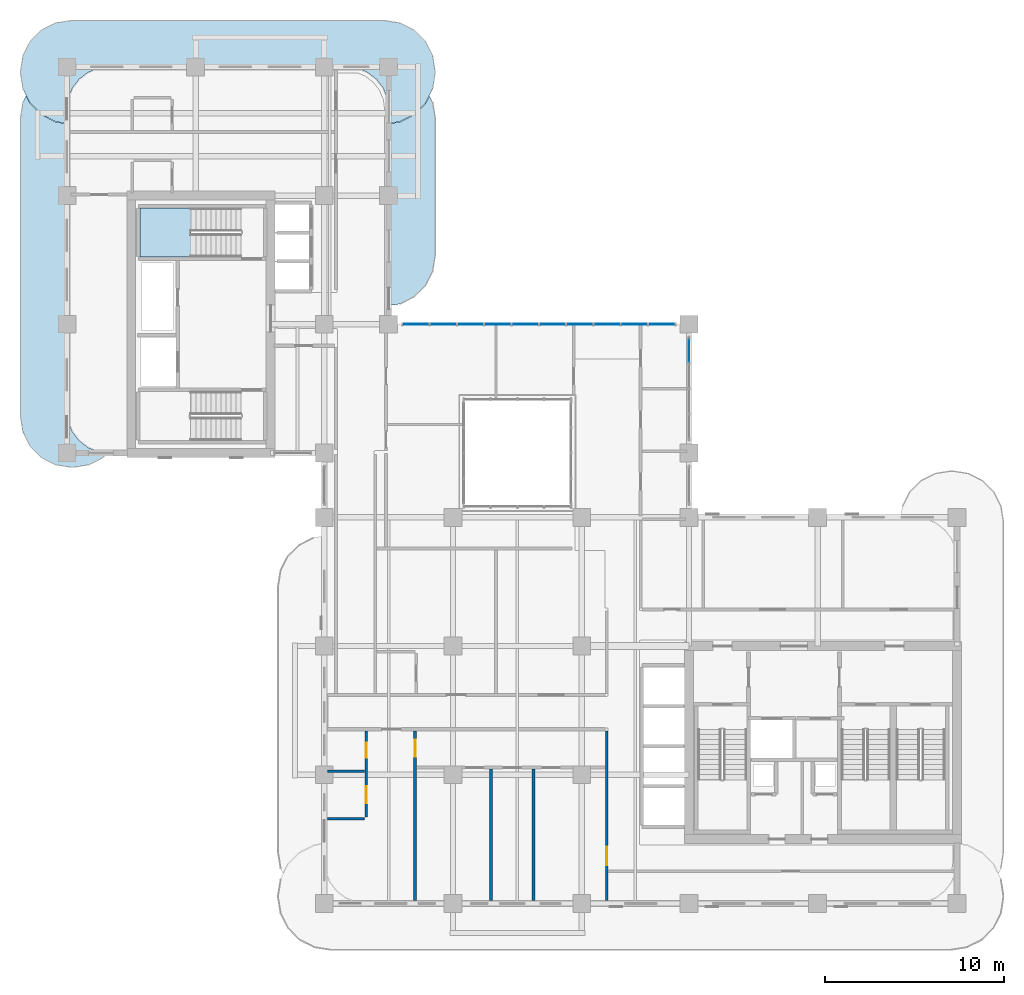
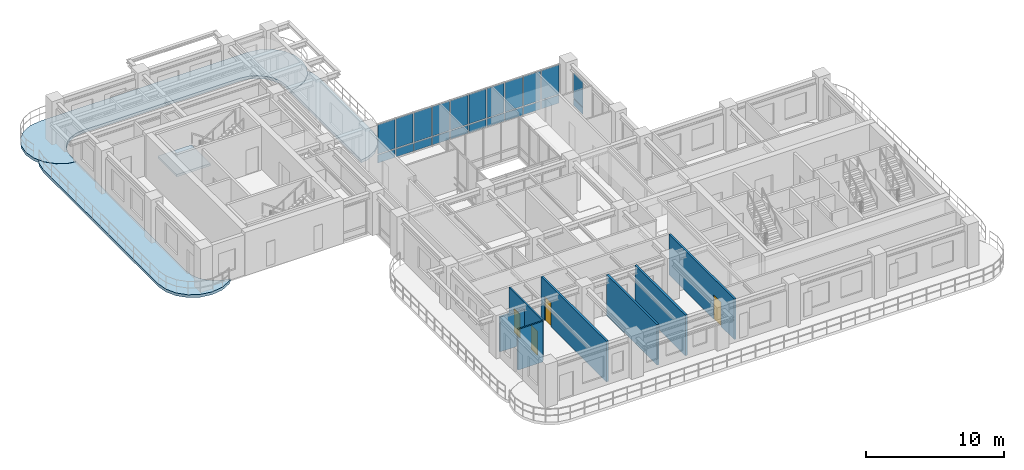
# One storey, part 10 of 20: 22 plates, 7 walls, 4 doors, 4 slabs, 4 openings, 3 elements without a shape of their own.
"""IFC4 building model written with IfcOpenShell, lengths in metres."""

from ifc_helpers import new_model, si_unit, derived_unit, direction, frame, frame_2d, origin, origin_2d, place, context, subcontext, project, spatial, polyline, rectangle, outline, extrude, source, transform, mapped, material, layer, layer_set, type_object, type_shapes, element, fill, aggregate, save


model = new_model("IFC4")

# Units and contexts
model_context = context("Model", 3, precision=1e-05, world=origin(), true_north=direction((0.0, 1.0)))
body_context = subcontext(model_context, "Body", "Model", "MODEL_VIEW")
ifc_project = project(units=[si_unit("LENGTHUNIT", "METRE"), si_unit("AREAUNIT", "SQUARE_METRE"), si_unit("VOLUMEUNIT", "CUBIC_METRE"), si_unit("PLANEANGLEUNIT", "RADIAN"), si_unit("MASSUNIT", "GRAM", prefix="KILO"), si_unit("THERMODYNAMICTEMPERATUREUNIT", "KELVIN"), si_unit("POWERUNIT", "WATT"), derived_unit("THERMALTRANSMITTANCEUNIT", [(si_unit("POWERUNIT", "WATT"), 1), (si_unit("AREAUNIT", "SQUARE_METRE"), -1), (si_unit("THERMODYNAMICTEMPERATUREUNIT", "KELVIN"), -1)])], contexts=[model_context])

# Site, building, storey
site_placement = place(None, origin())
site = spatial("IfcSite", under=ifc_project, at=site_placement, CompositionType="ELEMENT")
building_placement = place(site_placement, origin())
building = spatial("IfcBuilding", under=site, at=building_placement, Name="Zahravan Archway Hotel and Residences", CompositionType="ELEMENT")
storey_placement = place(building_placement, frame((0.0, 0.0, 177.25)))
storey = spatial("IfcBuildingStorey", under=building, at=storey_placement, Name="L44", CompositionType="ELEMENT", Elevation=177.25)

# Slabs
ifc_material_1 = material(Name="Concrete C45/55", Category="concrete")
ifc_layer_1 = layer(ifc_material_1, 0.25, Name="Concrete C45/55", Category="concrete")
ifc_layer_set_1 = layer_set([ifc_layer_1], Name="Concrete C45/55")
slab_type_1 = type_object("IfcSlabType", Name="SLB-BALC-250", PredefinedType="FLOOR", material=ifc_layer_set_1)
slab_1_placement = place(storey_placement, frame((0.0, 0.0, -0.25)))
element("IfcSlab", 1, at=slab_1_placement, inside=storey, type_object=slab_type_1, Name="L44 Wing B North Rounded Balcony Band", PredefinedType="FLOOR", context=body_context, shape_type="SweptSolid", body=[
    extrude(outline(polyline([(-0.630615234375, 43.739501953125), (-1.42529296875, 44.144287109375), (-2.0556640625, 44.77490234375), (-2.46044921875, 45.5693359375), (-2.60009765625, 46.449951171875), (-2.60009765625, 46.550048828125), (-2.46044921875, 47.4306640625), (-2.0556640625, 48.22509765625), (-1.42529296875, 48.855712890625), (-0.630615234375, 49.260498046875), (0.25, 49.39990234375), (17.75, 49.39990234375), (18.630615234375, 49.260498046875), (19.42529296875, 48.855712890625), (20.0556640625, 48.22509765625), (20.46044921875, 47.4306640625), (20.60009765625, 46.550048828125), (20.60009765625, 46.449951171875), (20.46044921875, 45.5693359375), (20.0556640625, 44.77490234375), (19.42529296875, 44.144287109375), (18.630615234375, 43.739501953125), (18.02001953125, 43.642822265625), (18.02001953125, 44.39990234375), (18.019775390625, 44.402587890625), (17.93798828125, 45.023681640625), (17.937744140625, 45.025390625), (17.937255859375, 45.027099609375), (17.936767578125, 45.02880859375), (17.697021484375, 45.607666015625), (17.6962890625, 45.609130859375), (17.6953125, 45.610595703125), (17.6943359375, 45.6123046875), (17.31298828125, 46.109375), (17.311767578125, 46.110595703125), (17.310546875, 46.11181640625), (17.309326171875, 46.113037109375), (16.812255859375, 46.494384765625), (16.810791015625, 46.495361328125), (16.80908203125, 46.49609375), (16.8076171875, 46.4970703125), (16.22900390625, 46.73681640625), (16.227294921875, 46.7373046875), (16.2255859375, 46.73779296875), (16.223876953125, 46.738037109375), (15.6025390625, 46.81982421875), (15.60009765625, 46.820068359375), (2.39990234375, 46.820068359375), (2.3974609375, 46.81982421875), (1.776123046875, 46.738037109375), (1.7744140625, 46.73779296875), (1.772705078125, 46.7373046875), (1.77099609375, 46.73681640625), (1.1923828125, 46.4970703125), (1.19091796875, 46.49609375), (1.189208984375, 46.495361328125), (1.187744140625, 46.494384765625), (0.690673828125, 46.113037109375), (0.689453125, 46.11181640625), (0.688232421875, 46.110595703125), (0.68701171875, 46.109375), (0.3056640625, 45.6123046875), (0.3046875, 45.610595703125), (0.3037109375, 45.609130859375), (0.302978515625, 45.607666015625), (0.063232421875, 45.02880859375), (0.062744140625, 45.027099609375), (0.062255859375, 45.025390625), (0.06201171875, 45.023681640625), (-0.019775390625, 44.402587890625), (-0.02001953125, 44.39990234375), (-0.02001953125, 43.642822265625), (-0.630615234375, 43.739501953125)])), origin(), (0.0, 0.0, 1.0), 0.25),
])
slab_2_placement = place(storey_placement, frame((0.0, 0.0, -0.25)))
element("IfcSlab", 2, at=slab_2_placement, inside=storey, type_object=slab_type_1, Name="L44 Wing B West Rounded Balcony Band", PredefinedType="FLOOR", context=body_context, shape_type="SweptSolid", body=[
    extrude(outline(polyline([(2.025146484375, 24.9443359375), (1.230712890625, 24.53955078125), (0.35009765625, 24.39990234375), (0.25, 24.39990234375), (-0.630615234375, 24.53955078125), (-1.42529296875, 24.9443359375), (-2.0556640625, 25.57470703125), (-2.46044921875, 26.369384765625), (-2.60009765625, 27.25), (-2.60009765625, 43.949951171875), (-2.46044921875, 44.830810546875), (-2.28369140625, 45.177978515625), (-2.073486328125, 44.765625), (-2.072509765625, 44.763916015625), (-2.0712890625, 44.76220703125), (-2.06982421875, 44.7607421875), (-1.439208984375, 44.130126953125), (-1.437744140625, 44.12890625), (-1.43603515625, 44.12744140625), (-1.434326171875, 44.12646484375), (-0.639892578125, 43.7216796875), (-0.637939453125, 43.720703125), (-0.635986328125, 43.72021484375), (-0.6337890625, 43.7197265625), (-0.023193359375, 43.623046875), (-0.021240234375, 43.622802734375), (-0.02001953125, 43.622802734375), (-0.02001953125, 27.60009765625), (-0.019775390625, 27.597412109375), (0.06201171875, 26.976318359375), (0.062255859375, 26.974609375), (0.062744140625, 26.972900390625), (0.063232421875, 26.97119140625), (0.302978515625, 26.392333984375), (0.3037109375, 26.390869140625), (0.3046875, 26.389404296875), (0.3056640625, 26.3876953125), (0.68701171875, 25.890625), (0.688232421875, 25.889404296875), (0.689453125, 25.88818359375), (0.690673828125, 25.886962890625), (1.187744140625, 25.505615234375), (1.189208984375, 25.504638671875), (1.19091796875, 25.50390625), (1.1923828125, 25.5029296875), (1.77099609375, 25.26318359375), (1.772705078125, 25.2626953125), (1.7744140625, 25.26220703125), (1.776123046875, 25.261962890625), (2.27685546875, 25.196044921875), (2.025146484375, 24.9443359375)])), origin(), (0.0, 0.0, 1.0), 0.25),
])
slab_3_placement = place(storey_placement, frame((0.0, 0.0, -0.25)))
element("IfcSlab", 3, at=slab_3_placement, inside=storey, type_object=slab_type_1, Name="L44 Wing B East Rounded Balcony Band", PredefinedType="FLOOR", context=body_context, shape_type="SweptSolid", body=[
    extrude(outline(polyline([(20.46044921875, 44.830810546875), (20.60009765625, 43.949951171875), (20.60009765625, 36.25), (20.46044921875, 35.369384765625), (20.0556640625, 34.57470703125), (19.42529296875, 33.9443359375), (18.630615234375, 33.53955078125), (18.02001953125, 33.44287109375), (18.02001953125, 43.622802734375), (18.021240234375, 43.622802734375), (18.023193359375, 43.623046875), (18.6337890625, 43.7197265625), (18.635986328125, 43.72021484375), (18.637939453125, 43.720703125), (18.639892578125, 43.7216796875), (19.434326171875, 44.12646484375), (19.43603515625, 44.12744140625), (19.437744140625, 44.12890625), (19.439208984375, 44.130126953125), (20.06982421875, 44.7607421875), (20.0712890625, 44.76220703125), (20.072509765625, 44.763916015625), (20.073486328125, 44.765625), (20.28369140625, 45.177978515625), (20.46044921875, 44.830810546875)])), origin(), (0.0, 0.0, 1.0), 0.25),
])

# Stair, slab
ifc_material_2 = material(Name="Concrete C50/60", Category="concrete")
stair_type = type_object("IfcStairType", Name="STR-CORE-1300", PredefinedType="HALF_TURN_STAIR", material=ifc_material_2)
stair_placement = place(storey_placement, origin())
stair = element("IfcStair", 4, at=stair_placement, inside=storey, type_object=stair_type, Name="L44 Core B Exit Stair 2", PredefinedType="HALF_TURN_STAIR")
ifc_layer_2 = layer(ifc_material_2, 0.199951171875, Name="Concrete C50/60", Category="concrete")
ifc_layer_set_2 = layer_set([ifc_layer_2], Name="Concrete C50/60")
slab_type_2 = type_object("IfcSlabType", Name="SLB-LND-200", PredefinedType="LANDING", material=ifc_layer_set_2)
slab_4_placement = place(storey_placement, frame((0.0, 0.0, 1.72509765625)))
slab_4 = element("IfcSlab", 5, at=slab_4_placement, type_object=slab_type_2, Name="ST-B2 landing 1", PredefinedType="LANDING", context=body_context, shape_type="SweptSolid", body=[
    extrude(outline(polyline([(6.929931640625, 38.89990234375), (4.10009765625, 38.89990234375), (4.10009765625, 36.159912109375), (6.929931640625, 36.159912109375), (6.929931640625, 38.89990234375)])), origin(), (0.0, 0.0, 1.0), 0.199951171875),
])
aggregate(stair, [slab_4])

# Curtain wall, plates
ifc_material_3 = material(Name="Bronze-Anodized Unitised Aluminium & Low-E Glass", Category="aluminium")
ifc_layer_3 = layer(ifc_material_3, 0.179931640625, Name="Bronze-Anodized Unitised Aluminium & Low-E Glass", Category="aluminium")
ifc_layer_set_3 = layer_set([ifc_layer_3], Name="Bronze-Anodized Unitised Aluminium & Low-E Glass")
curtain_wall_type = type_object("IfcCurtainWallType", Name="CW-ATR-GLAZ", PredefinedType="NOTDEFINED", material=ifc_layer_set_3)
curtain_wall_1_placement = place(storey_placement, origin())
curtain_wall_1 = element("IfcCurtainWall", 6, at=curtain_wall_1_placement, inside=storey, type_object=curtain_wall_type, Name="L44 Curtain Wall CW-L44-HNG-N-1", PredefinedType="NOTDEFINED")
ifc_material_4 = material(Name="Insulated Terracotta Spandrel Panel", Category="masonry")
ifc_layer_4 = layer(ifc_material_4, 0.0400390625, Name="Insulated Terracotta Spandrel Panel", Category="masonry")
ifc_layer_set_4 = layer_set([ifc_layer_4], Name="Insulated Terracotta Spandrel Panel")
plate_type_1 = type_object("IfcPlateType", Name="CWP-SPN-40", PredefinedType="SHEET", material=ifc_layer_set_4)
shared_shape_1 = source(origin(), body_context, "Body", "SweptSolid", [
    extrude(rectangle(XDim=1.447998046875, YDim=0.0400390625, at=origin_2d()), origin(), (0.0, 0.0, 1.0), 0.7099609375),
])
plate_1_placement = place(storey_placement, frame((19.52392578125, 32.39990234375, 0.10009765625), z_axis=(0.0, 0.0, 1.0), x_axis=(1.0, 0.0, 0.0)))
plate_1 = element("IfcPlate", 7, at=plate_1_placement, type_object=plate_type_1, Name="CW-L44-HNG-N-1 Spandrel Panel 0", PredefinedType="SHEET", context=body_context, shape_type="MappedRepresentation", body=[
    mapped(shared_shape_1, transform((0.0, 0.0, 0.0), scale=1.0)),
])
plate_2_placement = place(storey_placement, frame((21.052001953125, 32.39990234375, 0.10009765625), z_axis=(0.0, 0.0, 1.0), x_axis=(1.0, 0.0, 0.0)))
plate_2 = element("IfcPlate", 8, at=plate_2_placement, type_object=plate_type_1, Name="CW-L44-HNG-N-1 Spandrel Panel 1", PredefinedType="SHEET", context=body_context, shape_type="MappedRepresentation", body=[
    mapped(shared_shape_1, transform((0.0, 0.0, 0.0), scale=1.0)),
])
plate_3_placement = place(storey_placement, frame((22.580078125, 32.39990234375, 0.10009765625), z_axis=(0.0, 0.0, 1.0), x_axis=(1.0, 0.0, 0.0)))
plate_3 = element("IfcPlate", 9, at=plate_3_placement, type_object=plate_type_1, Name="CW-L44-HNG-N-1 Spandrel Panel 2", PredefinedType="SHEET", context=body_context, shape_type="MappedRepresentation", body=[
    mapped(shared_shape_1, transform((0.0, 0.0, 0.0), scale=1.0)),
])
plate_4_placement = place(storey_placement, frame((24.10791015625, 32.39990234375, 0.10009765625), z_axis=(0.0, 0.0, 1.0), x_axis=(1.0, 0.0, 0.0)))
plate_4 = element("IfcPlate", 10, at=plate_4_placement, type_object=plate_type_1, Name="CW-L44-HNG-N-1 Spandrel Panel 3", PredefinedType="SHEET", context=body_context, shape_type="MappedRepresentation", body=[
    mapped(shared_shape_1, transform((0.0, 0.0, 0.0), scale=1.0)),
])
plate_5_placement = place(storey_placement, frame((25.635986328125, 32.39990234375, 0.10009765625), z_axis=(0.0, 0.0, 1.0), x_axis=(1.0, 0.0, 0.0)))
plate_5 = element("IfcPlate", 11, at=plate_5_placement, type_object=plate_type_1, Name="CW-L44-HNG-N-1 Spandrel Panel 4", PredefinedType="SHEET", context=body_context, shape_type="MappedRepresentation", body=[
    mapped(shared_shape_1, transform((0.0, 0.0, 0.0), scale=1.0)),
])
plate_6_placement = place(storey_placement, frame((27.1640625, 32.39990234375, 0.10009765625), z_axis=(0.0, 0.0, 1.0), x_axis=(1.0, 0.0, 0.0)))
plate_6 = element("IfcPlate", 12, at=plate_6_placement, type_object=plate_type_1, Name="CW-L44-HNG-N-1 Spandrel Panel 5", PredefinedType="SHEET", context=body_context, shape_type="MappedRepresentation", body=[
    mapped(shared_shape_1, transform((0.0, 0.0, 0.0), scale=1.0)),
])
plate_7_placement = place(storey_placement, frame((28.69189453125, 32.39990234375, 0.10009765625), z_axis=(0.0, 0.0, 1.0), x_axis=(1.0, 0.0, 0.0)))
plate_7 = element("IfcPlate", 13, at=plate_7_placement, type_object=plate_type_1, Name="CW-L44-HNG-N-1 Spandrel Panel 6", PredefinedType="SHEET", context=body_context, shape_type="MappedRepresentation", body=[
    mapped(shared_shape_1, transform((0.0, 0.0, 0.0), scale=1.0)),
])
plate_8_placement = place(storey_placement, frame((30.219970703125, 32.39990234375, 0.10009765625), z_axis=(0.0, 0.0, 1.0), x_axis=(1.0, 0.0, 0.0)))
plate_8 = element("IfcPlate", 14, at=plate_8_placement, type_object=plate_type_1, Name="CW-L44-HNG-N-1 Spandrel Panel 7", PredefinedType="SHEET", context=body_context, shape_type="MappedRepresentation", body=[
    mapped(shared_shape_1, transform((0.0, 0.0, 0.0), scale=1.0)),
])
plate_9_placement = place(storey_placement, frame((31.748046875, 32.39990234375, 0.10009765625), z_axis=(0.0, 0.0, 1.0), x_axis=(1.0, 0.0, 0.0)))
plate_9 = element("IfcPlate", 15, at=plate_9_placement, type_object=plate_type_1, Name="CW-L44-HNG-N-1 Spandrel Panel 8", PredefinedType="SHEET", context=body_context, shape_type="MappedRepresentation", body=[
    mapped(shared_shape_1, transform((0.0, 0.0, 0.0), scale=1.0)),
])
plate_10_placement = place(storey_placement, frame((33.27587890625, 32.39990234375, 0.10009765625), z_axis=(0.0, 0.0, 1.0), x_axis=(1.0, 0.0, 0.0)))
plate_10 = element("IfcPlate", 16, at=plate_10_placement, type_object=plate_type_1, Name="CW-L44-HNG-N-1 Spandrel Panel 9", PredefinedType="SHEET", context=body_context, shape_type="MappedRepresentation", body=[
    mapped(shared_shape_1, transform((0.0, 0.0, 0.0), scale=1.0)),
])

curtain_wall_2_placement = place(storey_placement, origin())
curtain_wall_2 = element("IfcCurtainWall", 17, at=curtain_wall_2_placement, inside=storey, type_object=curtain_wall_type, Name="L44 Curtain Wall CW-L44-HNG-E-2", PredefinedType="NOTDEFINED")
shared_shape_2 = source(origin(), body_context, "Body", "SweptSolid", [
    extrude(rectangle(XDim=1.340087890625, YDim=0.0400390625, at=origin_2d()), origin(), (0.0, 0.0, 1.0), 0.600341796875),
])
plate_11_placement = place(storey_placement, frame((34.800048828125, 30.929931640625, 0.10009765625), z_axis=(0.0, 0.0, 1.0), x_axis=(0.0, 1.0, 0.0)))
plate_11 = element("IfcPlate", 18, at=plate_11_placement, type_object=plate_type_1, Name="CW-L44-HNG-E-2 Spandrel Panel 3", PredefinedType="SHEET", context=body_context, shape_type="MappedRepresentation", body=[
    mapped(shared_shape_2, transform((0.0, 0.0, 0.0), scale=1.0)),
])
ifc_material_5 = material(Name="Double-Silver Low-E Insulated Vision Glass", Category="glass")
ifc_layer_5 = layer(ifc_material_5, 0.028076171875, Name="Double-Silver Low-E Insulated Vision Glass", Category="glass")
ifc_layer_set_5 = layer_set([ifc_layer_5], Name="Double-Silver Low-E Insulated Vision Glass")
plate_type_2 = type_object("IfcPlateType", Name="CWP-GLZ-28", PredefinedType="CURTAIN_PANEL", material=ifc_layer_set_5)
shared_shape_3 = source(origin(), body_context, "Body", "SweptSolid", [
    extrude(rectangle(XDim=1.340087890625, YDim=0.028076171875, at=origin_2d()), origin(), (0.0, 0.0, 1.0), 2.20458984375),
])
plate_12_placement = place(storey_placement, frame((34.800048828125, 30.929931640625, 0.780517578125), z_axis=(0.0, 0.0, 1.0), x_axis=(0.0, 1.0, 0.0)))
plate_12 = element("IfcPlate", 19, at=plate_12_placement, type_object=plate_type_2, Name="CW-L44-HNG-E-2 Low-E Vision Panel 3", PredefinedType="CURTAIN_PANEL", context=body_context, shape_type="MappedRepresentation", body=[
    mapped(shared_shape_3, transform((0.0, 0.0, 0.0), scale=1.0)),
])
aggregate(curtain_wall_2, [plate_11, plate_12])

# Plate
shared_shape_4 = source(origin(), body_context, "Body", "SweptSolid", [
    extrude(rectangle(XDim=1.447998046875, YDim=0.028076171875, at=origin_2d()), origin(), (0.0, 0.0, 1.0), 2.610107421875),
])
plate_13_placement = place(storey_placement, frame((19.52392578125, 32.39990234375, 0.89013671875), z_axis=(0.0, 0.0, 1.0), x_axis=(1.0, 0.0, 0.0)))
plate_13 = element("IfcPlate", 20, at=plate_13_placement, type_object=plate_type_2, Name="CW-L44-HNG-N-1 Low-E Vision Panel 0", PredefinedType="CURTAIN_PANEL", context=body_context, shape_type="MappedRepresentation", body=[
    mapped(shared_shape_4, transform((0.0, 0.0, 0.0), scale=1.0)),
])

plate_14_placement = place(storey_placement, frame((21.052001953125, 32.39990234375, 0.89013671875), z_axis=(0.0, 0.0, 1.0), x_axis=(1.0, 0.0, 0.0)))
plate_14 = element("IfcPlate", 21, at=plate_14_placement, type_object=plate_type_2, Name="CW-L44-HNG-N-1 Low-E Vision Panel 1", PredefinedType="CURTAIN_PANEL", context=body_context, shape_type="MappedRepresentation", body=[
    mapped(shared_shape_4, transform((0.0, 0.0, 0.0), scale=1.0)),
])

plate_15_placement = place(storey_placement, frame((22.580078125, 32.39990234375, 0.89013671875), z_axis=(0.0, 0.0, 1.0), x_axis=(1.0, 0.0, 0.0)))
plate_15 = element("IfcPlate", 22, at=plate_15_placement, type_object=plate_type_2, Name="CW-L44-HNG-N-1 Low-E Vision Panel 2", PredefinedType="CURTAIN_PANEL", context=body_context, shape_type="MappedRepresentation", body=[
    mapped(shared_shape_4, transform((0.0, 0.0, 0.0), scale=1.0)),
])

plate_16_placement = place(storey_placement, frame((24.10791015625, 32.39990234375, 0.89013671875), z_axis=(0.0, 0.0, 1.0), x_axis=(1.0, 0.0, 0.0)))
plate_16 = element("IfcPlate", 23, at=plate_16_placement, type_object=plate_type_2, Name="CW-L44-HNG-N-1 Low-E Vision Panel 3", PredefinedType="CURTAIN_PANEL", context=body_context, shape_type="MappedRepresentation", body=[
    mapped(shared_shape_4, transform((0.0, 0.0, 0.0), scale=1.0)),
])

plate_17_placement = place(storey_placement, frame((25.635986328125, 32.39990234375, 0.89013671875), z_axis=(0.0, 0.0, 1.0), x_axis=(1.0, 0.0, 0.0)))
plate_17 = element("IfcPlate", 24, at=plate_17_placement, type_object=plate_type_2, Name="CW-L44-HNG-N-1 Low-E Vision Panel 4", PredefinedType="CURTAIN_PANEL", context=body_context, shape_type="MappedRepresentation", body=[
    mapped(shared_shape_4, transform((0.0, 0.0, 0.0), scale=1.0)),
])

plate_18_placement = place(storey_placement, frame((27.1640625, 32.39990234375, 0.89013671875), z_axis=(0.0, 0.0, 1.0), x_axis=(1.0, 0.0, 0.0)))
plate_18 = element("IfcPlate", 25, at=plate_18_placement, type_object=plate_type_2, Name="CW-L44-HNG-N-1 Low-E Vision Panel 5", PredefinedType="CURTAIN_PANEL", context=body_context, shape_type="MappedRepresentation", body=[
    mapped(shared_shape_4, transform((0.0, 0.0, 0.0), scale=1.0)),
])

plate_19_placement = place(storey_placement, frame((28.69189453125, 32.39990234375, 0.89013671875), z_axis=(0.0, 0.0, 1.0), x_axis=(1.0, 0.0, 0.0)))
plate_19 = element("IfcPlate", 26, at=plate_19_placement, type_object=plate_type_2, Name="CW-L44-HNG-N-1 Low-E Vision Panel 6", PredefinedType="CURTAIN_PANEL", context=body_context, shape_type="MappedRepresentation", body=[
    mapped(shared_shape_4, transform((0.0, 0.0, 0.0), scale=1.0)),
])

plate_20_placement = place(storey_placement, frame((30.219970703125, 32.39990234375, 0.89013671875), z_axis=(0.0, 0.0, 1.0), x_axis=(1.0, 0.0, 0.0)))
plate_20 = element("IfcPlate", 27, at=plate_20_placement, type_object=plate_type_2, Name="CW-L44-HNG-N-1 Low-E Vision Panel 7", PredefinedType="CURTAIN_PANEL", context=body_context, shape_type="MappedRepresentation", body=[
    mapped(shared_shape_4, transform((0.0, 0.0, 0.0), scale=1.0)),
])

plate_21_placement = place(storey_placement, frame((31.748046875, 32.39990234375, 0.89013671875), z_axis=(0.0, 0.0, 1.0), x_axis=(1.0, 0.0, 0.0)))
plate_21 = element("IfcPlate", 28, at=plate_21_placement, type_object=plate_type_2, Name="CW-L44-HNG-N-1 Low-E Vision Panel 8", PredefinedType="CURTAIN_PANEL", context=body_context, shape_type="MappedRepresentation", body=[
    mapped(shared_shape_4, transform((0.0, 0.0, 0.0), scale=1.0)),
])

plate_22_placement = place(storey_placement, frame((33.27587890625, 32.39990234375, 0.89013671875), z_axis=(0.0, 0.0, 1.0), x_axis=(1.0, 0.0, 0.0)))
plate_22 = element("IfcPlate", 29, at=plate_22_placement, type_object=plate_type_2, Name="CW-L44-HNG-N-1 Low-E Vision Panel 9", PredefinedType="CURTAIN_PANEL", context=body_context, shape_type="MappedRepresentation", body=[
    mapped(shared_shape_4, transform((0.0, 0.0, 0.0), scale=1.0)),
])

aggregate(curtain_wall_1, [plate_1, plate_13, plate_2, plate_14, plate_3, plate_15, plate_4, plate_16, plate_5, plate_17, plate_6, plate_18, plate_7, plate_19, plate_8, plate_20, plate_9, plate_21, plate_10, plate_22])

# Wall, opening, door
ifc_material_6 = material(Name="Fire-Rated Gypsum & Concrete Block", Category="concrete")
ifc_layer_6 = layer(ifc_material_6, 0.159912109375, Name="Fire-Rated Gypsum & Concrete Block", Category="concrete")
ifc_layer_set_6 = layer_set([ifc_layer_6], Name="Fire-Rated Gypsum & Concrete Block")
wall_type_1 = type_object("IfcWallType", Name="PW-CORR-160", PredefinedType="PARTITIONING", material=ifc_layer_set_6)
wall_1_placement = place(storey_placement, frame((30.199951171875, 0.16796875, 0.0), z_axis=(0.0, 0.0, 1.0), x_axis=(0.0, 1.0, 0.0)))
wall_1 = element("IfcWall", 30, at=wall_1_placement, inside=storey, type_object=wall_type_1, Name="L44 Partition WA-SRW", PredefinedType="PARTITIONING", context=body_context, shape_type="SweptSolid", body=[
    extrude(rectangle(XDim=9.491943359375, YDim=0.159912109375, at=frame_2d((4.74609375, 0.0))), origin(), (0.0, 0.0, 1.0), 3.60009765625),
])
opening_1_placement = place(wall_1_placement, frame((1.95703125, 0.0, 0.0)))
opening_1 = element("IfcOpeningElement", 31, at=opening_1_placement, cuts=wall_1, Name="Opening FD-L2", PredefinedType="OPENING", context=body_context, shape_type="SweptSolid", body=[
    extrude(rectangle(XDim=1.050048828125, YDim=2.14990234375, at=frame_2d((0.52490234375, 1.074951171875))), frame((0.0, 0.08984375, 0.0), z_axis=(0.0, -1.0, 0.0), x_axis=(1.0, 0.0, 0.0)), (0.0, 0.0, 1.0), 0.179931640625),
])
ifc_material_7 = material(Name="Fire-Rated Painted Steel", Category="steel")
door_type_1 = type_object("IfcDoorType", Name="FD-LOBBY-1100", OperationType="NOTDEFINED", PredefinedType="DOOR", material=ifc_material_7)
shared_shape_5 = source(origin(), body_context, "Body", "SweptSolid", [
    extrude(rectangle(XDim=1.050048828125, YDim=2.14990234375, at=frame_2d((0.52490234375, 1.074951171875))), frame((0.0, 0.02490234375, 0.0), z_axis=(0.0, -1.0, 0.0), x_axis=(1.0, 0.0, 0.0)), (0.0, 0.0, 1.0), 0.050048828125),
])
type_shapes(door_type_1, [shared_shape_5])
door_1_placement = place(opening_1_placement, origin())
door_1 = element("IfcDoor", 32, at=door_1_placement, inside=storey, type_object=door_type_1, Name="L44 South Riser Corridor Door", OperationType="SINGLE_SWING_RIGHT", OverallHeight=2.14990234375, OverallWidth=1.050048828125, PredefinedType="DOOR", context=body_context, shape_type="MappedRepresentation", body=[
    mapped(shared_shape_5, transform((0.0, 0.0, 0.0), scale=1.0)),
])
fill(opening_1, door_1)

ifc_material_8 = material(Name="Acoustic Stud Partition")
ifc_layer_7 = layer(ifc_material_8, 0.169921875, Name="Acoustic Stud Partition")
ifc_layer_set_7 = layer_set([ifc_layer_7], Name="Acoustic Stud Partition")
wall_type_2 = type_object("IfcWallType", Name="PW-UNIT-170", PredefinedType="PARTITIONING", material=ifc_layer_set_7)
wall_2_placement = place(storey_placement, frame((19.47998046875, 0.16796875, 0.0), z_axis=(0.0, 0.0, 1.0), x_axis=(0.0, 1.0, 0.0)))
wall_2 = element("IfcWall", 33, at=wall_2_placement, inside=storey, type_object=wall_type_2, Name="L44 Partition FL-S1-SP", PredefinedType="PARTITIONING", context=body_context, shape_type="SweptSolid", body=[
    extrude(rectangle(XDim=9.491943359375, YDim=0.169921875, at=frame_2d((4.74609375, 0.0))), origin(), (0.0, 0.0, 1.0), 3.60009765625),
])
opening_2_placement = place(wall_2_placement, frame((8.031982421875, 0.0, 0.0)))
opening_2 = element("IfcOpeningElement", 34, at=opening_2_placement, cuts=wall_2, Name="Opening D-I1", PredefinedType="OPENING", context=body_context, shape_type="SweptSolid", body=[
    extrude(rectangle(XDim=0.949951171875, YDim=2.14990234375, at=frame_2d((0.47509765625, 1.074951171875))), frame((0.0, 0.094970703125, 0.0), z_axis=(0.0, -1.0, 0.0), x_axis=(1.0, 0.0, 0.0)), (0.0, 0.0, 1.0), 0.18994140625),
])
ifc_material_9 = material(Name="Hardwood Veneer Timber", Category="wood")
door_type_2 = type_object("IfcDoorType", Name="ID-INT-950", OperationType="NOTDEFINED", PredefinedType="DOOR", material=ifc_material_9)
shared_shape_6 = source(origin(), body_context, "Body", "SweptSolid", [
    extrude(rectangle(XDim=0.949951171875, YDim=2.14990234375, at=frame_2d((0.47509765625, 1.074951171875))), frame((0.0, 0.02490234375, 0.0), z_axis=(0.0, -1.0, 0.0), x_axis=(1.0, 0.0, 0.0)), (0.0, 0.0, 1.0), 0.050048828125),
])
type_shapes(door_type_2, [shared_shape_6])
door_2_placement = place(opening_2_placement, origin())
door_2 = element("IfcDoor", 35, at=door_2_placement, inside=storey, type_object=door_type_2, Name="L44 Flat S1 Bedroom Hall Door", OperationType="SINGLE_SWING_LEFT", OverallHeight=2.14990234375, OverallWidth=0.949951171875, PredefinedType="DOOR", context=body_context, shape_type="MappedRepresentation", body=[
    mapped(shared_shape_6, transform((0.0, 0.0, 0.0), scale=1.0)),
])
fill(opening_2, door_2)

# Walls
for number, where, z_axis, x_axis, name in (
    (36, (23.719970703125, 0.16796875, 0.0), (0.0, 0.0, 1.0), (0.0, 1.0, 0.0), "L44 Partition FL-S1-BD1"),
    (37, (26.10009765625, 0.16796875, 0.0), (0.0, 0.0, 1.0), (0.0, 1.0, 0.0), "L44 Partition FL-S1-BD2"),
):
    element("IfcWall", number, at=place(storey_placement, frame(where, z_axis=z_axis, x_axis=x_axis)), inside=storey, type_object=wall_type_2, Name=name, PredefinedType="PARTITIONING", context=body_context, shape_type="SweptSolid", body=[
        extrude(rectangle(XDim=7.342041015625, YDim=0.169921875, at=frame_2d((3.6708984375, 0.0))), origin(), (0.0, 0.0, 1.0), 3.60009765625),
    ])

# Wall, openings, doors
ifc_material_10 = material(Name="Moisture-Resistant Blockwork", Category="masonry")
ifc_layer_8 = layer(ifc_material_10, 0.139892578125, Name="Moisture-Resistant Blockwork", Category="masonry")
ifc_layer_set_8 = layer_set([ifc_layer_8], Name="Moisture-Resistant Blockwork")
wall_type_3 = type_object("IfcWallType", Name="PW-WET-140", PredefinedType="PARTITIONING", material=ifc_layer_set_8)
wall_3_placement = place(storey_placement, frame((16.75, 4.840087890625, 0.0), z_axis=(0.0, 0.0, 1.0), x_axis=(0.0, 1.0, 0.0)))
wall_3 = element("IfcWall", 38, at=wall_3_placement, inside=storey, type_object=wall_type_3, Name="L44 Partition FL-S1-BV", PredefinedType="PARTITIONING", context=body_context, shape_type="SweptSolid", body=[
    extrude(rectangle(XDim=4.81982421875, YDim=0.139892578125, at=frame_2d((2.409912109375, 0.0))), origin(), (0.0, 0.0, 1.0), 3.60009765625),
])
opening_3_placement = place(wall_3_placement, frame((0.760009765625, 0.0, 0.0)))
opening_3 = element("IfcOpeningElement", 39, at=opening_3_placement, cuts=wall_3, Name="Opening D-I1", PredefinedType="OPENING", context=body_context, shape_type="SweptSolid", body=[
    extrude(rectangle(XDim=0.949951171875, YDim=2.14990234375, at=frame_2d((0.47509765625, 1.074951171875))), frame((0.0, 0.080078125, 0.0), z_axis=(0.0, -1.0, 0.0), x_axis=(1.0, 0.0, 0.0)), (0.0, 0.0, 1.0), 0.159912109375),
])
opening_4_placement = place(wall_3_placement, frame((3.31005859375, 0.0, 0.0)))
opening_4 = element("IfcOpeningElement", 40, at=opening_4_placement, cuts=wall_3, Name="Opening D-B1", PredefinedType="OPENING", context=body_context, shape_type="SweptSolid", body=[
    extrude(rectangle(XDim=0.85009765625, YDim=2.10009765625, at=frame_2d((0.425048828125, 1.050048828125))), frame((0.0, 0.080078125, 0.0), z_axis=(0.0, -1.0, 0.0), x_axis=(1.0, 0.0, 0.0)), (0.0, 0.0, 1.0), 0.159912109375),
])
door_type_3 = type_object("IfcDoorType", Name="ID-BATH-850", OperationType="NOTDEFINED", PredefinedType="DOOR", material=ifc_material_9)
shared_shape_7 = source(origin(), body_context, "Body", "SweptSolid", [
    extrude(rectangle(XDim=0.85009765625, YDim=2.10009765625, at=frame_2d((0.425048828125, 1.050048828125))), frame((0.0, 0.02490234375, 0.0), z_axis=(0.0, -1.0, 0.0), x_axis=(1.0, 0.0, 0.0)), (0.0, 0.0, 1.0), 0.050048828125),
])
type_shapes(door_type_3, [shared_shape_7])
door_3_placement = place(opening_4_placement, origin())
door_3 = element("IfcDoor", 41, at=door_3_placement, inside=storey, type_object=door_type_3, Name="L44 Flat S1 Bathroom Door", OperationType="SINGLE_SWING_LEFT", OverallHeight=2.10009765625, OverallWidth=0.85009765625, PredefinedType="DOOR", context=body_context, shape_type="MappedRepresentation", body=[
    mapped(shared_shape_7, transform((0.0, 0.0, 0.0), scale=1.0)),
])
fill(opening_4, door_3)
door_4_placement = place(opening_3_placement, origin())
door_4 = element("IfcDoor", 42, at=door_4_placement, inside=storey, type_object=door_type_2, Name="L44 Flat S1 Kitchen Door", OperationType="SINGLE_SWING_RIGHT", OverallHeight=2.14990234375, OverallWidth=0.949951171875, PredefinedType="DOOR", context=body_context, shape_type="MappedRepresentation", body=[
    mapped(shared_shape_6, transform((0.0, 0.0, 0.0), scale=1.0)),
])
fill(opening_3, door_4)

# Walls
wall_4_placement = place(storey_placement, frame((14.590087890625, 7.39990234375, 0.0), z_axis=(0.0, 0.0, 1.0), x_axis=(1.0, 0.0, 0.0)))
element("IfcWall", 43, at=wall_4_placement, inside=storey, type_object=wall_type_3, Name="L44 Partition FL-S1-BM", PredefinedType="PARTITIONING", context=body_context, shape_type="SweptSolid", body=[
    extrude(rectangle(XDim=2.06982421875, YDim=0.139892578125, at=frame_2d((1.034912109375, 0.0))), origin(), (0.0, 0.0, 1.0), 3.0849609375),
])
wall_5_placement = place(storey_placement, frame((14.568115234375, 4.75, 0.0), z_axis=(0.0, 0.0, 1.0), x_axis=(1.0, 0.0, 0.0)))
element("IfcWall", 44, at=wall_5_placement, inside=storey, type_object=wall_type_3, Name="L44 Partition FL-S1-KH", PredefinedType="PARTITIONING", context=body_context, shape_type="SweptSolid", body=[
    extrude(rectangle(XDim=2.091796875, YDim=0.139892578125, at=frame_2d((1.0458984375, 0.0))), origin(), (0.0, 0.0, 1.0), 3.60009765625),
])

save(model, "model.ifc")
